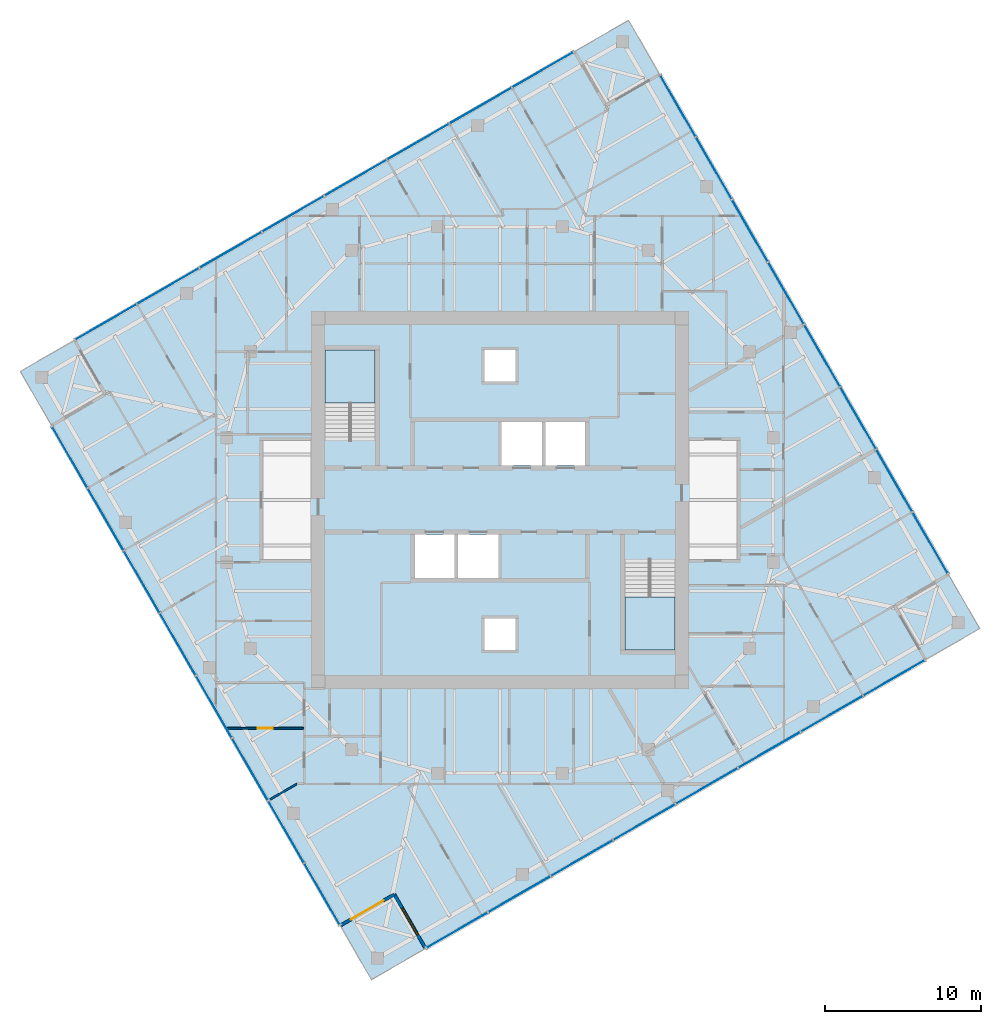
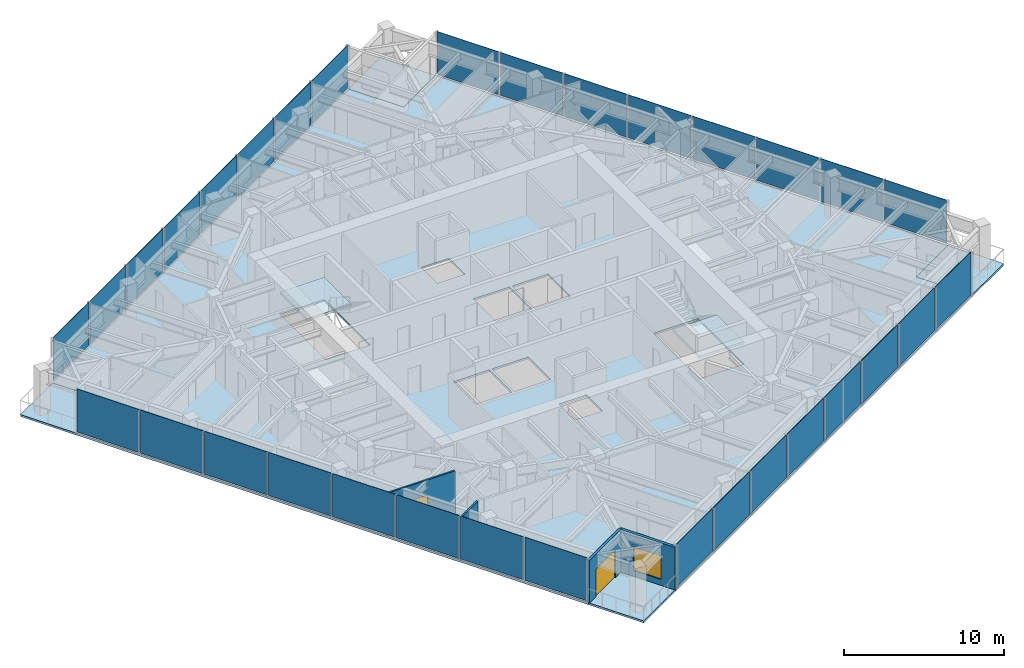
# One storey, part 6 of 13: 32 plates, 7 slabs, 4 walls, 2 doors, 1 window, 3 openings, 6 elements without a shape of their own.
"""IFC4 building model written with IfcOpenShell, lengths in metres."""

from ifc_helpers import new_model, si_unit, direction, frame, frame_2d, origin, origin_2d, place, context, subcontext, project, spatial, polyline, rectangle, outline, extrude, material, layer, layer_set, type_object, element, fill, aggregate, save


model = new_model("IFC4")

# Units and contexts
model_context = context("Model", 3, precision=1e-05, world=origin(), true_north=direction((0.0, 1.0)))
body_context = subcontext(model_context, "Body", "Model", "MODEL_VIEW")
ifc_project = project(units=[si_unit("LENGTHUNIT", "METRE"), si_unit("AREAUNIT", "SQUARE_METRE"), si_unit("VOLUMEUNIT", "CUBIC_METRE"), si_unit("PLANEANGLEUNIT", "RADIAN"), si_unit("MASSUNIT", "GRAM", prefix="KILO")], contexts=[model_context])

# Site, building, storey
site_placement = place(None, origin())
site = spatial("IfcSite", under=ifc_project, at=site_placement, CompositionType="ELEMENT")
building_placement = place(site_placement, origin())
building = spatial("IfcBuilding", under=site, at=building_placement, Name="Torsade Residences", CompositionType="ELEMENT")
storey_placement = place(building_placement, frame((0.0, 0.0, 228.60009765625)))
storey = spatial("IfcBuildingStorey", under=building, at=storey_placement, Name="L63", CompositionType="ELEMENT", Elevation=228.60009765625)

# Slab
ifc_material_1 = material(Name="Concrete 40 MPa", Category="concrete")
ifc_layer_1 = layer(ifc_material_1, 0.14990234375)
ifc_layer_set_1 = layer_set([ifc_layer_1], Name="Concrete 40 MPa")
slab_type_1 = type_object("IfcSlabType", Name="COMPOSITE FLOOR SLAB 150", PredefinedType="FLOOR", material=ifc_layer_set_1)
slab_1_placement = place(storey_placement, frame((0.0, 0.0, -0.150146484375)))
element("IfcSlab", 1, at=slab_1_placement, inside=storey, type_object=slab_type_1, Name="Floor slab L63", PredefinedType="FLOOR", context=body_context, shape_type="SweptSolid", body=[
    extrude(outline(polyline([(35.228515625, 1.264404296875), (67.271484375, 19.764404296875), (65.271484375, 23.228515625), (68.735595703125, 25.228515625), (50.235595703125, 57.271484375), (46.771484375, 55.271484375), (44.771484375, 58.735595703125), (12.728515625, 40.235595703125), (14.728515625, 36.771484375), (11.264404296875, 34.771484375), (29.764404296875, 2.728515625), (33.228515625, 4.728515625), (35.228515625, 1.264404296875)]), holes=[polyline([(51.199951171875, 26.1201171875), (48.0, 26.1201171875), (48.0, 20.39990234375), (51.199951171875, 20.39990234375), (51.199951171875, 26.1201171875)]), polyline([(45.5, 35.0), (42.89990234375, 35.0), (42.89990234375, 32.199951171875), (45.5, 32.199951171875), (45.5, 35.0)]), polyline([(42.699951171875, 35.0), (40.10009765625, 35.0), (40.10009765625, 32.199951171875), (42.699951171875, 32.199951171875), (42.699951171875, 35.0)]), polyline([(41.0, 22.39990234375), (39.0, 22.39990234375), (39.0, 20.39990234375), (41.0, 20.39990234375), (41.0, 22.39990234375)]), polyline([(41.0, 39.60009765625), (39.0, 39.60009765625), (39.0, 37.60009765625), (41.0, 37.60009765625), (41.0, 39.60009765625)]), polyline([(39.89990234375, 27.800048828125), (37.300048828125, 27.800048828125), (37.300048828125, 25.0), (39.89990234375, 25.0), (39.89990234375, 27.800048828125)]), polyline([(37.10009765625, 27.800048828125), (34.5, 27.800048828125), (34.5, 25.0), (37.10009765625, 25.0), (37.10009765625, 27.800048828125)]), polyline([(32.0, 39.60009765625), (28.800048828125, 39.60009765625), (28.800048828125, 33.8798828125), (32.0, 33.8798828125), (32.0, 39.60009765625)])]), origin(), (0.0, 0.0, 1.0), 0.150146484375),
])

# Curtain wall, plates
ifc_material_2 = material(Name="Aluminium and glass", Category="aluminium")
curtain_wall_type = type_object("IfcCurtainWallType", Name="FRITTED GLASS CURTAIN WALL HIGH ZONE", PredefinedType="NOTDEFINED", material=ifc_material_2)
curtain_wall_1_placement = place(storey_placement, origin())
curtain_wall_1 = element("IfcCurtainWall", 2, at=curtain_wall_1_placement, inside=storey, type_object=curtain_wall_type, Name="Curtain wall L63 face 1", PredefinedType="NOTDEFINED")
ifc_material_3 = material(Name="Laminated glass", Category="glass")
ifc_layer_2 = layer(ifc_material_3, 0.031982421875)
ifc_layer_set_2 = layer_set([ifc_layer_2], Name="Laminated glass")
plate_type_1 = type_object("IfcPlateType", Name="FRITTED GLASS PANEL", PredefinedType="CURTAIN_PANEL", material=ifc_layer_set_2)
plate_1_placement = place(storey_placement, frame((37.2529296875, 2.43310546875, 0.1201171875), z_axis=(0.0, 0.0, 1.0), x_axis=(0.866025404186, 0.499999999305, 0.0)))
plate_1 = element("IfcPlate", 3, at=plate_1_placement, type_object=plate_type_1, Name="Panel 1", PredefinedType="CURTAIN_PANEL", context=body_context, shape_type="SweptSolid", body=[
    extrude(rectangle(XDim=4.47509765625, YDim=0.031982421875, at=origin_2d()), origin(), (0.0, 0.0, 1.0), 3.280029296875),
])
plate_2_placement = place(storey_placement, frame((45.241943359375, 7.045654296875, 0.1201171875), z_axis=(0.0, 0.0, 1.0), x_axis=(0.866025404186, 0.499999999305, 0.0)))
plate_2 = element("IfcPlate", 4, at=plate_2_placement, type_object=plate_type_1, Name="Panel 3", PredefinedType="CURTAIN_PANEL", context=body_context, shape_type="SweptSolid", body=[
    extrude(rectangle(XDim=4.52490234375, YDim=0.031982421875, at=origin_2d()), origin(), (0.0, 0.0, 1.0), 3.280029296875),
])
plate_3_placement = place(storey_placement, frame((49.247314453125, 9.358154296875, 0.1201171875), z_axis=(0.0, 0.0, 1.0), x_axis=(0.866025404186, 0.499999999305, 0.0)))
plate_3 = element("IfcPlate", 5, at=plate_3_placement, type_object=plate_type_1, Name="Panel 4", PredefinedType="CURTAIN_PANEL", context=body_context, shape_type="SweptSolid", body=[
    extrude(rectangle(XDim=4.52490234375, YDim=0.031982421875, at=origin_2d()), origin(), (0.0, 0.0, 1.0), 3.280029296875),
])
plate_4_placement = place(storey_placement, frame((53.252685546875, 11.670654296875, 0.1201171875), z_axis=(0.0, 0.0, 1.0), x_axis=(0.866025404186, 0.499999999305, 0.0)))
plate_4 = element("IfcPlate", 6, at=plate_4_placement, type_object=plate_type_1, Name="Panel 5", PredefinedType="CURTAIN_PANEL", context=body_context, shape_type="SweptSolid", body=[
    extrude(rectangle(XDim=4.52490234375, YDim=0.031982421875, at=origin_2d()), origin(), (0.0, 0.0, 1.0), 3.280029296875),
])
plate_5_placement = place(storey_placement, frame((61.263427734375, 16.295654296875, 0.1201171875), z_axis=(0.0, 0.0, 1.0), x_axis=(0.866025404186, 0.499999999305, 0.0)))
plate_5 = element("IfcPlate", 7, at=plate_5_placement, type_object=plate_type_1, Name="Panel 7", PredefinedType="CURTAIN_PANEL", context=body_context, shape_type="SweptSolid", body=[
    extrude(rectangle(XDim=4.52490234375, YDim=0.031982421875, at=origin_2d()), origin(), (0.0, 0.0, 1.0), 3.280029296875),
])
plate_6_placement = place(storey_placement, frame((65.2470703125, 18.595703125, 0.1201171875), z_axis=(0.0, 0.0, 1.0), x_axis=(0.866025404186, 0.499999999305, 0.0)))
plate_6 = element("IfcPlate", 8, at=plate_6_placement, type_object=plate_type_1, Name="Panel 8", PredefinedType="CURTAIN_PANEL", context=body_context, shape_type="SweptSolid", body=[
    extrude(rectangle(XDim=4.47509765625, YDim=0.031982421875, at=origin_2d()), origin(), (0.0, 0.0, 1.0), 3.280029296875),
])

curtain_wall_2_placement = place(storey_placement, origin())
curtain_wall_2 = element("IfcCurtainWall", 9, at=curtain_wall_2_placement, inside=storey, type_object=curtain_wall_type, Name="Curtain wall L63 face 4", PredefinedType="NOTDEFINED")
plate_7_placement = place(storey_placement, frame((67.56689453125, 27.2529296875, 0.1201171875), z_axis=(0.0, 0.0, 1.0), x_axis=(-0.499999999305, 0.866025404186, 0.0)))
plate_7 = element("IfcPlate", 10, at=plate_7_placement, type_object=plate_type_1, Name="Panel 1", PredefinedType="CURTAIN_PANEL", context=body_context, shape_type="SweptSolid", body=[
    extrude(rectangle(XDim=4.47509765625, YDim=0.031982421875, at=origin_2d()), origin(), (0.0, 0.0, 1.0), 3.280029296875),
])
plate_8_placement = place(storey_placement, frame((62.954345703125, 35.241943359375, 0.1201171875), z_axis=(0.0, 0.0, 1.0), x_axis=(-0.499999999305, 0.866025404186, 0.0)))
plate_8 = element("IfcPlate", 11, at=plate_8_placement, type_object=plate_type_1, Name="Panel 3", PredefinedType="CURTAIN_PANEL", context=body_context, shape_type="SweptSolid", body=[
    extrude(rectangle(XDim=4.52490234375, YDim=0.031982421875, at=origin_2d()), origin(), (0.0, 0.0, 1.0), 3.280029296875),
])
plate_9_placement = place(storey_placement, frame((60.641845703125, 39.247314453125, 0.1201171875), z_axis=(0.0, 0.0, 1.0), x_axis=(-0.499999999305, 0.866025404186, 0.0)))
plate_9 = element("IfcPlate", 12, at=plate_9_placement, type_object=plate_type_1, Name="Panel 4", PredefinedType="CURTAIN_PANEL", context=body_context, shape_type="SweptSolid", body=[
    extrude(rectangle(XDim=4.52490234375, YDim=0.031982421875, at=origin_2d()), origin(), (0.0, 0.0, 1.0), 3.280029296875),
])
plate_10_placement = place(storey_placement, frame((58.329345703125, 43.252685546875, 0.1201171875), z_axis=(0.0, 0.0, 1.0), x_axis=(-0.499999999305, 0.866025404186, 0.0)))
plate_10 = element("IfcPlate", 13, at=plate_10_placement, type_object=plate_type_1, Name="Panel 5", PredefinedType="CURTAIN_PANEL", context=body_context, shape_type="SweptSolid", body=[
    extrude(rectangle(XDim=4.52490234375, YDim=0.031982421875, at=origin_2d()), origin(), (0.0, 0.0, 1.0), 3.280029296875),
])
plate_11_placement = place(storey_placement, frame((53.704345703125, 51.263427734375, 0.1201171875), z_axis=(0.0, 0.0, 1.0), x_axis=(-0.499999999305, 0.866025404186, 0.0)))
plate_11 = element("IfcPlate", 14, at=plate_11_placement, type_object=plate_type_1, Name="Panel 7", PredefinedType="CURTAIN_PANEL", context=body_context, shape_type="SweptSolid", body=[
    extrude(rectangle(XDim=4.52490234375, YDim=0.031982421875, at=origin_2d()), origin(), (0.0, 0.0, 1.0), 3.280029296875),
])
plate_12_placement = place(storey_placement, frame((51.404296875, 55.2470703125, 0.1201171875), z_axis=(0.0, 0.0, 1.0), x_axis=(-0.499999999305, 0.866025404186, 0.0)))
plate_12 = element("IfcPlate", 15, at=plate_12_placement, type_object=plate_type_1, Name="Panel 8", PredefinedType="CURTAIN_PANEL", context=body_context, shape_type="SweptSolid", body=[
    extrude(rectangle(XDim=4.47509765625, YDim=0.031982421875, at=origin_2d()), origin(), (0.0, 0.0, 1.0), 3.280029296875),
])

curtain_wall_3_placement = place(storey_placement, origin())
curtain_wall_3 = element("IfcCurtainWall", 16, at=curtain_wall_3_placement, inside=storey, type_object=curtain_wall_type, Name="Curtain wall L63 face 7", PredefinedType="NOTDEFINED")
plate_13_placement = place(storey_placement, frame((42.7470703125, 57.56689453125, 0.1201171875), z_axis=(0.0, 0.0, 1.0), x_axis=(-0.866025404186, -0.499999999305, 0.0)))
plate_13 = element("IfcPlate", 17, at=plate_13_placement, type_object=plate_type_1, Name="Panel 1", PredefinedType="CURTAIN_PANEL", context=body_context, shape_type="SweptSolid", body=[
    extrude(rectangle(XDim=4.47509765625, YDim=0.031982421875, at=origin_2d()), origin(), (0.0, 0.0, 1.0), 3.280029296875),
])
plate_14_placement = place(storey_placement, frame((34.758056640625, 52.954345703125, 0.1201171875), z_axis=(0.0, 0.0, 1.0), x_axis=(-0.866025404186, -0.499999999305, 0.0)))
plate_14 = element("IfcPlate", 18, at=plate_14_placement, type_object=plate_type_1, Name="Panel 3", PredefinedType="CURTAIN_PANEL", context=body_context, shape_type="SweptSolid", body=[
    extrude(rectangle(XDim=4.52490234375, YDim=0.031982421875, at=origin_2d()), origin(), (0.0, 0.0, 1.0), 3.280029296875),
])
plate_15_placement = place(storey_placement, frame((30.752685546875, 50.641845703125, 0.1201171875), z_axis=(0.0, 0.0, 1.0), x_axis=(-0.866025404186, -0.499999999305, 0.0)))
plate_15 = element("IfcPlate", 19, at=plate_15_placement, type_object=plate_type_1, Name="Panel 4", PredefinedType="CURTAIN_PANEL", context=body_context, shape_type="SweptSolid", body=[
    extrude(rectangle(XDim=4.52490234375, YDim=0.031982421875, at=origin_2d()), origin(), (0.0, 0.0, 1.0), 3.280029296875),
])
plate_16_placement = place(storey_placement, frame((26.747314453125, 48.329345703125, 0.1201171875), z_axis=(0.0, 0.0, 1.0), x_axis=(-0.866025404186, -0.499999999305, 0.0)))
plate_16 = element("IfcPlate", 20, at=plate_16_placement, type_object=plate_type_1, Name="Panel 5", PredefinedType="CURTAIN_PANEL", context=body_context, shape_type="SweptSolid", body=[
    extrude(rectangle(XDim=4.52490234375, YDim=0.031982421875, at=origin_2d()), origin(), (0.0, 0.0, 1.0), 3.280029296875),
])
plate_17_placement = place(storey_placement, frame((18.736572265625, 43.704345703125, 0.1201171875), z_axis=(0.0, 0.0, 1.0), x_axis=(-0.866025404186, -0.499999999305, 0.0)))
plate_17 = element("IfcPlate", 21, at=plate_17_placement, type_object=plate_type_1, Name="Panel 7", PredefinedType="CURTAIN_PANEL", context=body_context, shape_type="SweptSolid", body=[
    extrude(rectangle(XDim=4.52490234375, YDim=0.031982421875, at=origin_2d()), origin(), (0.0, 0.0, 1.0), 3.280029296875),
])
plate_18_placement = place(storey_placement, frame((14.7529296875, 41.404296875, 0.1201171875), z_axis=(0.0, 0.0, 1.0), x_axis=(-0.866025404186, -0.499999999305, 0.0)))
plate_18 = element("IfcPlate", 22, at=plate_18_placement, type_object=plate_type_1, Name="Panel 8", PredefinedType="CURTAIN_PANEL", context=body_context, shape_type="SweptSolid", body=[
    extrude(rectangle(XDim=4.47509765625, YDim=0.031982421875, at=origin_2d()), origin(), (0.0, 0.0, 1.0), 3.280029296875),
])

curtain_wall_4_placement = place(storey_placement, origin())
curtain_wall_4 = element("IfcCurtainWall", 23, at=curtain_wall_4_placement, inside=storey, type_object=curtain_wall_type, Name="Curtain wall L63 face 10", PredefinedType="NOTDEFINED")
plate_19_placement = place(storey_placement, frame((12.43310546875, 32.7470703125, 0.1201171875), z_axis=(0.0, 0.0, 1.0), x_axis=(0.499999999305, -0.866025404186, 0.0)))
plate_19 = element("IfcPlate", 24, at=plate_19_placement, type_object=plate_type_1, Name="Panel 1", PredefinedType="CURTAIN_PANEL", context=body_context, shape_type="SweptSolid", body=[
    extrude(rectangle(XDim=4.47509765625, YDim=0.031982421875, at=origin_2d()), origin(), (0.0, 0.0, 1.0), 3.280029296875),
])
plate_20_placement = place(storey_placement, frame((17.045654296875, 24.758056640625, 0.1201171875), z_axis=(0.0, 0.0, 1.0), x_axis=(0.499999999305, -0.866025404186, 0.0)))
plate_20 = element("IfcPlate", 25, at=plate_20_placement, type_object=plate_type_1, Name="Panel 3", PredefinedType="CURTAIN_PANEL", context=body_context, shape_type="SweptSolid", body=[
    extrude(rectangle(XDim=4.52490234375, YDim=0.031982421875, at=origin_2d()), origin(), (0.0, 0.0, 1.0), 3.280029296875),
])
plate_21_placement = place(storey_placement, frame((19.358154296875, 20.752685546875, 0.1201171875), z_axis=(0.0, 0.0, 1.0), x_axis=(0.499999999305, -0.866025404186, 0.0)))
plate_21 = element("IfcPlate", 26, at=plate_21_placement, type_object=plate_type_1, Name="Panel 4", PredefinedType="CURTAIN_PANEL", context=body_context, shape_type="SweptSolid", body=[
    extrude(rectangle(XDim=4.52490234375, YDim=0.031982421875, at=origin_2d()), origin(), (0.0, 0.0, 1.0), 3.280029296875),
])
plate_22_placement = place(storey_placement, frame((21.670654296875, 16.747314453125, 0.1201171875), z_axis=(0.0, 0.0, 1.0), x_axis=(0.499999999305, -0.866025404186, 0.0)))
plate_22 = element("IfcPlate", 27, at=plate_22_placement, type_object=plate_type_1, Name="Panel 5", PredefinedType="CURTAIN_PANEL", context=body_context, shape_type="SweptSolid", body=[
    extrude(rectangle(XDim=4.52490234375, YDim=0.031982421875, at=origin_2d()), origin(), (0.0, 0.0, 1.0), 3.280029296875),
])
plate_23_placement = place(storey_placement, frame((26.295654296875, 8.736572265625, 0.1201171875), z_axis=(0.0, 0.0, 1.0), x_axis=(0.499999999305, -0.866025404186, 0.0)))
plate_23 = element("IfcPlate", 28, at=plate_23_placement, type_object=plate_type_1, Name="Panel 7", PredefinedType="CURTAIN_PANEL", context=body_context, shape_type="SweptSolid", body=[
    extrude(rectangle(XDim=4.52490234375, YDim=0.031982421875, at=origin_2d()), origin(), (0.0, 0.0, 1.0), 3.280029296875),
])
plate_24_placement = place(storey_placement, frame((28.595703125, 4.7529296875, 0.1201171875), z_axis=(0.0, 0.0, 1.0), x_axis=(0.499999999305, -0.866025404186, 0.0)))
plate_24 = element("IfcPlate", 29, at=plate_24_placement, type_object=plate_type_1, Name="Panel 8", PredefinedType="CURTAIN_PANEL", context=body_context, shape_type="SweptSolid", body=[
    extrude(rectangle(XDim=4.47509765625, YDim=0.031982421875, at=origin_2d()), origin(), (0.0, 0.0, 1.0), 3.280029296875),
])

# Plate
ifc_material_4 = material(Name="Laminated glass", Category="glass")
ifc_layer_3 = layer(ifc_material_4, 0.0400390625)
ifc_layer_set_3 = layer_set([ifc_layer_3], Name="Laminated glass")
plate_type_2 = type_object("IfcPlateType", Name="OPERABLE VENT PANEL", PredefinedType="CURTAIN_PANEL", material=ifc_layer_set_3)
plate_25_placement = place(storey_placement, frame((41.236572265625, 4.733154296875, 0.1201171875), z_axis=(0.0, 0.0, 1.0), x_axis=(0.866025404186, 0.499999999305, 0.0)))
plate_25 = element("IfcPlate", 30, at=plate_25_placement, type_object=plate_type_2, Name="Panel 2", PredefinedType="CURTAIN_PANEL", context=body_context, shape_type="SweptSolid", body=[
    extrude(rectangle(XDim=4.52490234375, YDim=0.0400390625, at=origin_2d()), origin(), (0.0, 0.0, 1.0), 3.280029296875),
])

plate_26_placement = place(storey_placement, frame((57.258056640625, 13.983154296875, 0.1201171875), z_axis=(0.0, 0.0, 1.0), x_axis=(0.866025404186, 0.499999999305, 0.0)))
plate_26 = element("IfcPlate", 31, at=plate_26_placement, type_object=plate_type_2, Name="Panel 6", PredefinedType="CURTAIN_PANEL", context=body_context, shape_type="SweptSolid", body=[
    extrude(rectangle(XDim=4.52490234375, YDim=0.0400390625, at=origin_2d()), origin(), (0.0, 0.0, 1.0), 3.280029296875),
])

aggregate(curtain_wall_1, [plate_1, plate_25, plate_2, plate_3, plate_4, plate_26, plate_5, plate_6])

plate_27_placement = place(storey_placement, frame((65.266845703125, 31.236572265625, 0.1201171875), z_axis=(0.0, 0.0, 1.0), x_axis=(-0.499999999305, 0.866025404186, 0.0)))
plate_27 = element("IfcPlate", 32, at=plate_27_placement, type_object=plate_type_2, Name="Panel 2", PredefinedType="CURTAIN_PANEL", context=body_context, shape_type="SweptSolid", body=[
    extrude(rectangle(XDim=4.52490234375, YDim=0.0400390625, at=origin_2d()), origin(), (0.0, 0.0, 1.0), 3.280029296875),
])

plate_28_placement = place(storey_placement, frame((56.016845703125, 47.258056640625, 0.1201171875), z_axis=(0.0, 0.0, 1.0), x_axis=(-0.499999999305, 0.866025404186, 0.0)))
plate_28 = element("IfcPlate", 33, at=plate_28_placement, type_object=plate_type_2, Name="Panel 6", PredefinedType="CURTAIN_PANEL", context=body_context, shape_type="SweptSolid", body=[
    extrude(rectangle(XDim=4.52490234375, YDim=0.0400390625, at=origin_2d()), origin(), (0.0, 0.0, 1.0), 3.280029296875),
])

aggregate(curtain_wall_2, [plate_7, plate_27, plate_8, plate_9, plate_10, plate_28, plate_11, plate_12])

plate_29_placement = place(storey_placement, frame((38.763427734375, 55.266845703125, 0.1201171875), z_axis=(0.0, 0.0, 1.0), x_axis=(-0.866025404186, -0.499999999305, 0.0)))
plate_29 = element("IfcPlate", 34, at=plate_29_placement, type_object=plate_type_2, Name="Panel 2", PredefinedType="CURTAIN_PANEL", context=body_context, shape_type="SweptSolid", body=[
    extrude(rectangle(XDim=4.52490234375, YDim=0.0400390625, at=origin_2d()), origin(), (0.0, 0.0, 1.0), 3.280029296875),
])

plate_30_placement = place(storey_placement, frame((22.741943359375, 46.016845703125, 0.1201171875), z_axis=(0.0, 0.0, 1.0), x_axis=(-0.866025404186, -0.499999999305, 0.0)))
plate_30 = element("IfcPlate", 35, at=plate_30_placement, type_object=plate_type_2, Name="Panel 6", PredefinedType="CURTAIN_PANEL", context=body_context, shape_type="SweptSolid", body=[
    extrude(rectangle(XDim=4.52490234375, YDim=0.0400390625, at=origin_2d()), origin(), (0.0, 0.0, 1.0), 3.280029296875),
])

aggregate(curtain_wall_3, [plate_13, plate_29, plate_14, plate_15, plate_16, plate_30, plate_17, plate_18])

plate_31_placement = place(storey_placement, frame((14.733154296875, 28.763427734375, 0.1201171875), z_axis=(0.0, 0.0, 1.0), x_axis=(0.499999999305, -0.866025404186, 0.0)))
plate_31 = element("IfcPlate", 36, at=plate_31_placement, type_object=plate_type_2, Name="Panel 2", PredefinedType="CURTAIN_PANEL", context=body_context, shape_type="SweptSolid", body=[
    extrude(rectangle(XDim=4.52490234375, YDim=0.0400390625, at=origin_2d()), origin(), (0.0, 0.0, 1.0), 3.280029296875),
])

plate_32_placement = place(storey_placement, frame((23.983154296875, 12.741943359375, 0.1201171875), z_axis=(0.0, 0.0, 1.0), x_axis=(0.499999999305, -0.866025404186, 0.0)))
plate_32 = element("IfcPlate", 37, at=plate_32_placement, type_object=plate_type_2, Name="Panel 6", PredefinedType="CURTAIN_PANEL", context=body_context, shape_type="SweptSolid", body=[
    extrude(rectangle(XDim=4.52490234375, YDim=0.0400390625, at=origin_2d()), origin(), (0.0, 0.0, 1.0), 3.280029296875),
])

aggregate(curtain_wall_4, [plate_19, plate_31, plate_20, plate_21, plate_22, plate_32, plate_23, plate_24])

# Stair, slab
ifc_material_5 = material(Name="Precast concrete 40 MPa", Category="concrete")
stair_type = type_object("IfcStairType", Name="HALF-TURN FIRE STAIR 1500x3400", PredefinedType="HALF_TURN_STAIR", material=ifc_material_5)
stair_1_placement = place(storey_placement, origin())
stair_1 = element("IfcStair", 38, at=stair_1_placement, inside=storey, type_object=stair_type, Name="Stair ST1 L63", PredefinedType="HALF_TURN_STAIR")
ifc_material_6 = material(Name="Precast concrete 40 MPa", Category="concrete")
ifc_layer_4 = layer(ifc_material_6, 0.179931640625)
ifc_layer_set_4 = layer_set([ifc_layer_4], Name="Precast concrete 40 MPa")
slab_type_2 = type_object("IfcSlabType", Name="PRECAST STAIR LANDING 180", PredefinedType="LANDING", material=ifc_layer_set_4)
slab_2_placement = place(storey_placement, frame((0.0, 0.0, 1.52001953125)))
slab_2 = element("IfcSlab", 39, at=slab_2_placement, type_object=slab_type_2, Name="ST1 landing 1", PredefinedType="LANDING", context=body_context, shape_type="SweptSolid", body=[
    extrude(outline(polyline([(28.800048828125, 36.2099609375), (32.0, 36.2099609375), (32.0, 39.60009765625), (28.800048828125, 39.60009765625), (28.800048828125, 36.2099609375)])), origin(), (0.0, 0.0, 1.0), 0.179931640625),
])
aggregate(stair_1, [slab_2])

stair_2_placement = place(storey_placement, origin())
stair_2 = element("IfcStair", 40, at=stair_2_placement, inside=storey, type_object=stair_type, Name="Stair ST2 L63", PredefinedType="HALF_TURN_STAIR")
slab_3_placement = place(storey_placement, frame((0.0, 0.0, 1.52001953125)))
slab_3 = element("IfcSlab", 41, at=slab_3_placement, type_object=slab_type_2, Name="ST2 landing 1", PredefinedType="LANDING", context=body_context, shape_type="SweptSolid", body=[
    extrude(outline(polyline([(48.0, 20.39990234375), (51.199951171875, 20.39990234375), (51.199951171875, 23.7900390625), (48.0, 23.7900390625), (48.0, 20.39990234375)])), origin(), (0.0, 0.0, 1.0), 0.179931640625),
])
aggregate(stair_2, [slab_3])

# Slabs
ifc_material_7 = material(Name="Concrete 40 MPa", Category="concrete")
ifc_layer_5 = layer(ifc_material_7, 0.14990234375)
ifc_layer_set_5 = layer_set([ifc_layer_5], Name="Concrete 40 MPa")
slab_type_3 = type_object("IfcSlabType", Name="TERRACE SLAB 150", PredefinedType="FLOOR", material=ifc_layer_set_5)
slab_4_placement = place(storey_placement, frame((0.0, 0.0, -0.150146484375)))
element("IfcSlab", 42, at=slab_4_placement, inside=storey, type_object=slab_type_3, Name="Corner terrace slab SE L63", PredefinedType="FLOOR", context=body_context, shape_type="SweptSolid", body=[
    extrude(outline(polyline([(67.271484375, 19.764404296875), (70.735595703125, 21.764404296875), (68.735595703125, 25.228515625), (65.271484375, 23.228515625), (67.271484375, 19.764404296875)])), origin(), (0.0, 0.0, 1.0), 0.150146484375),
])
slab_5_placement = place(storey_placement, frame((0.0, 0.0, -0.150146484375)))
element("IfcSlab", 43, at=slab_5_placement, inside=storey, type_object=slab_type_3, Name="Corner terrace slab NE L63", PredefinedType="FLOOR", context=body_context, shape_type="SweptSolid", body=[
    extrude(outline(polyline([(46.771484375, 55.271484375), (50.235595703125, 57.271484375), (48.235595703125, 60.735595703125), (44.771484375, 58.735595703125), (46.771484375, 55.271484375)])), origin(), (0.0, 0.0, 1.0), 0.150146484375),
])
slab_6_placement = place(storey_placement, frame((0.0, 0.0, -0.150146484375)))
element("IfcSlab", 44, at=slab_6_placement, inside=storey, type_object=slab_type_3, Name="Corner terrace slab NW L63", PredefinedType="FLOOR", context=body_context, shape_type="SweptSolid", body=[
    extrude(outline(polyline([(11.264404296875, 34.771484375), (14.728515625, 36.771484375), (12.728515625, 40.235595703125), (9.264404296875, 38.235595703125), (11.264404296875, 34.771484375)])), origin(), (0.0, 0.0, 1.0), 0.150146484375),
])
slab_7_placement = place(storey_placement, frame((0.0, 0.0, -0.150146484375)))
element("IfcSlab", 45, at=slab_7_placement, inside=storey, type_object=slab_type_3, Name="Corner terrace slab SW L63", PredefinedType="FLOOR", context=body_context, shape_type="SweptSolid", body=[
    extrude(outline(polyline([(31.764404296875, -0.735595703125), (35.228515625, 1.264404296875), (33.228515625, 4.728515625), (29.764404296875, 2.728515625), (31.764404296875, -0.735595703125)])), origin(), (0.0, 0.0, 1.0), 0.150146484375),
])

# Wall, opening, door
ifc_material_8 = material(Name="Plasterboard on steel stud", Category="steel")
ifc_layer_6 = layer(ifc_material_8, 0.1201171875)
ifc_layer_set_6 = layer_set([ifc_layer_6], Name="Plasterboard on steel stud")
wall_type_1 = type_object("IfcWallType", Name="PARTITION 120", PredefinedType="PARTITIONING", material=ifc_layer_set_6)
wall_1_placement = place(storey_placement, frame((22.51025390625, 15.373046875, 0.0), z_axis=(0.0, 0.0, 1.0), x_axis=(1.0, 0.0, 0.0)))
wall_1 = element("IfcWall", 46, at=wall_1_placement, inside=storey, type_object=wall_type_1, Name="Partition L63", PredefinedType="PARTITIONING", context=body_context, shape_type="SweptSolid", body=[
    extrude(rectangle(XDim=4.917724609375, YDim=0.1201171875, at=frame_2d((2.458984375, 0.0))), origin(), (0.0, 0.0, 1.0), 3.25),
])
opening_1_placement = place(wall_1_placement, frame((1.972900390625, 0.0, 0.0)))
opening_1 = element("IfcOpeningElement", 47, at=opening_1_placement, cuts=wall_1, Name="Opening D05", PredefinedType="OPENING", context=body_context, shape_type="SweptSolid", body=[
    extrude(rectangle(XDim=0.9599609375, YDim=2.10009765625, at=frame_2d((0.47998046875, 1.050048828125))), frame((0.0, 0.070068359375, 0.0), z_axis=(0.0, -1.0, 0.0), x_axis=(1.0, 0.0, 0.0)), (0.0, 0.0, 1.0), 0.14013671875),
])
ifc_material_9 = material(Name="Hollow-core timber door in a steel cavity frame", Category="steel")
door_type_1 = type_object("IfcDoorType", Name="BATHROOM CAVITY SLIDING DOOR 960", OperationType="SLIDING_TO_LEFT", PredefinedType="DOOR", material=ifc_material_9)
door_1_placement = place(opening_1_placement, origin())
door_1 = element("IfcDoor", 48, at=door_1_placement, inside=storey, type_object=door_type_1, Name="Door WC 2 to Dressing room 2", OperationType="SLIDING_TO_LEFT", OverallHeight=2.10009765625, OverallWidth=0.9599609375, PredefinedType="DOOR", context=body_context, shape_type="SweptSolid", body=[
    extrude(rectangle(XDim=0.9599609375, YDim=2.10009765625, at=frame_2d((0.47998046875, 1.050048828125))), frame((0.0, 0.02490234375, 0.0), z_axis=(0.0, -1.0, 0.0), x_axis=(1.0, 0.0, 0.0)), (0.0, 0.0, 1.0), 0.050048828125),
])
fill(opening_1, door_1)

# Wall
wall_2_placement = place(storey_placement, frame((26.97607421875, 11.799560546875, 0.0), z_axis=(0.0, 0.0, 1.0), x_axis=(-0.866046860819, -0.499962833484, 0.0)))
element("IfcWall", 49, at=wall_2_placement, inside=storey, type_object=wall_type_1, Name="Partition L63", PredefinedType="PARTITIONING", context=body_context, shape_type="SweptSolid", body=[
    extrude(rectangle(XDim=2.080810546875, YDim=0.1201171875, at=frame_2d((1.04052734375, 0.0))), origin(), (0.0, 0.0, 1.0), 3.25),
])

# Wall, opening, door
ifc_material_10 = material(Name="Stone-faced precast concrete 40 MPa panel", Category="masonry")
ifc_layer_7 = layer(ifc_material_10, 0.199951171875)
ifc_layer_set_7 = layer_set([ifc_layer_7], Name="Stone-faced precast concrete 40 MPa panel")
wall_type_2 = type_object("IfcWallType", Name="TERRACE WALL 200", PredefinedType="SOLIDWALL", material=ifc_layer_set_7)
wall_3_placement = place(storey_placement, frame((29.764404296875, 2.728515625, 0.0), z_axis=(0.0, 0.0, 1.0), x_axis=(0.866026010844, 0.49999894854, 0.0)))
wall_3 = element("IfcWall", 50, at=wall_3_placement, inside=storey, type_object=wall_type_2, Name="Terrace wall L63 11", PredefinedType="SOLIDWALL", context=body_context, shape_type="SweptSolid", body=[
    extrude(rectangle(XDim=4.0, YDim=0.199951171875, at=frame_2d((2.0, 0.0))), origin(), (0.0, 0.0, 1.0), 3.25),
])
opening_2_placement = place(wall_3_placement, frame((0.800048828125, 0.0, 0.0)))
opening_2 = element("IfcOpeningElement", 51, at=opening_2_placement, cuts=wall_3, Name="Opening D10A", PredefinedType="OPENING", context=body_context, shape_type="SweptSolid", body=[
    extrude(rectangle(XDim=2.39990234375, YDim=2.10009765625, at=frame_2d((1.199951171875, 1.050048828125))), frame((0.0, 0.10986328125, 0.0), z_axis=(0.0, -1.0, 0.0), x_axis=(1.0, 0.0, 0.0)), (0.0, 0.0, 1.0), 0.219970703125),
])
ifc_material_11 = material(Name="Aluminium-framed glass door", Category="aluminium")
door_type_2 = type_object("IfcDoorType", Name="TERRACE SLIDING DOOR 2400x2100", OperationType="SLIDING_TO_LEFT", PredefinedType="DOOR", material=ifc_material_11)
door_2_placement = place(opening_2_placement, origin())
door_2 = element("IfcDoor", 52, at=door_2_placement, inside=storey, type_object=door_type_2, Name="Terrace door L63 11", OperationType="SLIDING_TO_LEFT", OverallHeight=2.10009765625, OverallWidth=2.39990234375, PredefinedType="DOOR", context=body_context, shape_type="SweptSolid", body=[
    extrude(rectangle(XDim=2.39990234375, YDim=2.10009765625, at=frame_2d((1.199951171875, 1.050048828125))), frame((0.0, 0.02490234375, 0.0), z_axis=(0.0, -1.0, 0.0), x_axis=(1.0, 0.0, 0.0)), (0.0, 0.0, 1.0), 0.050048828125),
])
fill(opening_2, door_2)

# Wall, opening, window
wall_4_placement = place(storey_placement, frame((33.228515625, 4.728515625, 0.0), z_axis=(0.0, 0.0, 1.0), x_axis=(0.49999894854, -0.866026010844, 0.0)))
wall_4 = element("IfcWall", 53, at=wall_4_placement, inside=storey, type_object=wall_type_2, Name="Terrace wall L63 12", PredefinedType="SOLIDWALL", context=body_context, shape_type="SweptSolid", body=[
    extrude(rectangle(XDim=4.0, YDim=0.199951171875, at=frame_2d((2.0, 0.0))), origin(), (0.0, 0.0, 1.0), 3.25),
])
opening_3_placement = place(wall_4_placement, frame((1.0, 0.0, 0.449951171875)))
opening_3 = element("IfcOpeningElement", 54, at=opening_3_placement, cuts=wall_4, Name="Opening W1B", PredefinedType="OPENING", context=body_context, shape_type="SweptSolid", body=[
    extrude(rectangle(XDim=2.0, YDim=1.800048828125, at=frame_2d((1.0, 0.89990234375))), frame((0.0, 0.10986328125, 0.0), z_axis=(0.0, -1.0, 0.0), x_axis=(1.0, 0.0, 0.0)), (0.0, 0.0, 1.0), 0.219970703125),
])
ifc_material_12 = material(Name="Aluminium-framed glass window", Category="aluminium")
window_type = type_object("IfcWindowType", Name="TERRACE WINDOW 2000x1800", PartitioningType="SINGLE_PANEL", PredefinedType="WINDOW", material=ifc_material_12)
window_placement = place(opening_3_placement, origin())
window = element("IfcWindow", 55, at=window_placement, inside=storey, type_object=window_type, Name="Terrace window L63 12", OverallHeight=1.800048828125, OverallWidth=2.0, PartitioningType="SINGLE_PANEL", PredefinedType="WINDOW", context=body_context, shape_type="SweptSolid", body=[
    extrude(rectangle(XDim=2.0, YDim=1.800048828125, at=frame_2d((1.0, 0.89990234375))), frame((0.0, 0.030029296875, 0.0), z_axis=(0.0, -1.0, 0.0), x_axis=(1.0, 0.0, 0.0)), (0.0, 0.0, 1.0), 0.06005859375),
])
fill(opening_3, window)

save(model, "model.ifc")
